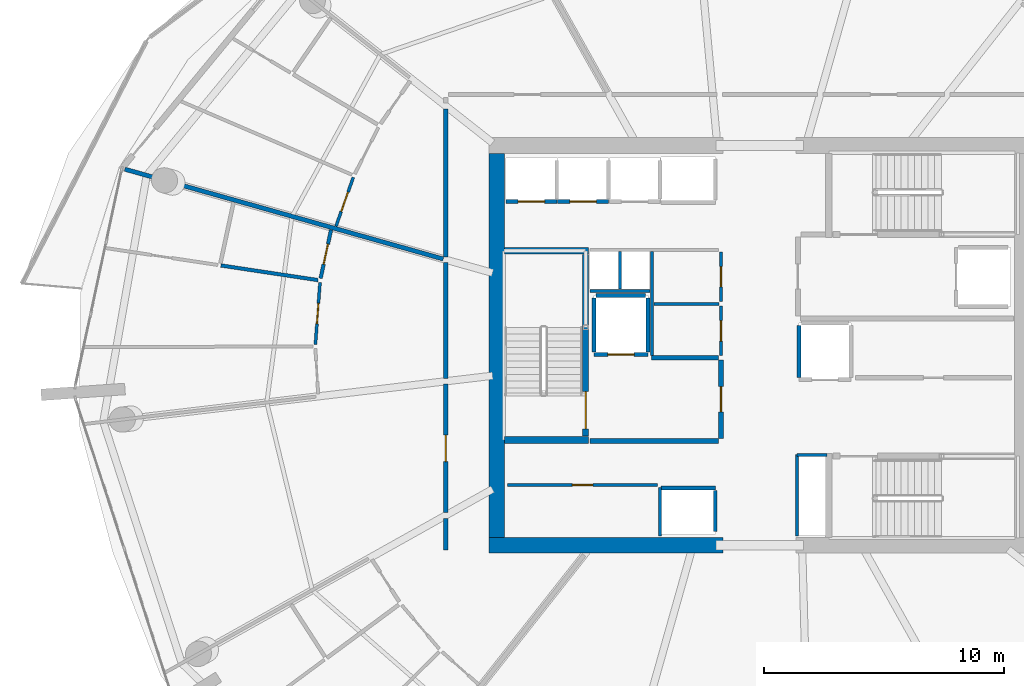
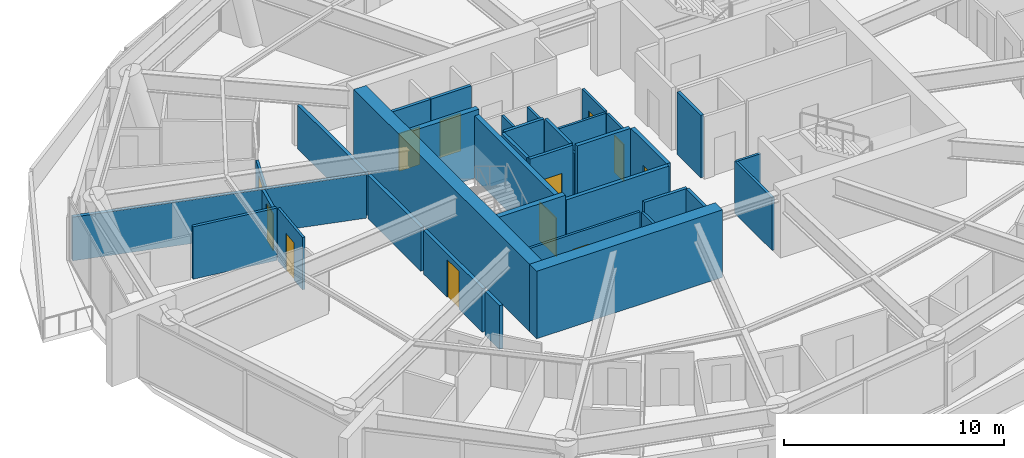
# One storey, part 11 of 20: 36 walls, 12 doors, 12 openings.
"""IFC4 building model written with IfcOpenShell, lengths in metres."""

from ifc_helpers import new_model, si_unit, direction, frame, frame_2d, origin, place, context, subcontext, project, spatial, rectangle, extrude, material, layer, layer_set, type_object, element, fill, save


model = new_model("IFC4")

# Units and contexts
model_context = context("Model", 3, precision=1e-05, world=origin(), true_north=direction((0.0, 1.0)))
body_context = subcontext(model_context, "Body", "Model", "MODEL_VIEW")
ifc_project = project(units=[si_unit("LENGTHUNIT", "METRE"), si_unit("AREAUNIT", "SQUARE_METRE"), si_unit("VOLUMEUNIT", "CUBIC_METRE"), si_unit("PLANEANGLEUNIT", "RADIAN"), si_unit("MASSUNIT", "GRAM", prefix="KILO")], contexts=[model_context])

# Site, building, storey
site_placement = place(None, origin())
site = spatial("IfcSite", under=ifc_project, at=site_placement, CompositionType="ELEMENT")
building_placement = place(site_placement, origin())
building = spatial("IfcBuilding", under=site, at=building_placement, Name="Kazma Halo Residences", CompositionType="ELEMENT")
storey_placement = place(building_placement, frame((0.0, 0.0, 221.550048828125)))
storey = spatial("IfcBuildingStorey", under=building, at=storey_placement, Name="L56", CompositionType="ELEMENT", Elevation=221.550048828125)

# Walls
ifc_material_1 = material(Name="Concrete C60/75", Category="concrete")
ifc_layer_1 = layer(ifc_material_1, 0.64990234375)
ifc_layer_set_1 = layer_set([ifc_layer_1], Name="Concrete C60/75")
wall_type_1 = type_object("IfcWallType", Name="WL-CORE-650", PredefinedType="SHEAR", material=ifc_layer_set_1)
wall_1_placement = place(storey_placement, frame((37.14990234375, 33.675048828125, 0.0), z_axis=(0.0, 0.0, 1.0), x_axis=(1.0, 0.0, 0.0)))
element("IfcWall", 1, at=wall_1_placement, inside=storey, type_object=wall_type_1, Name="L56 central core shear wall SW", PredefinedType="SHEAR", context=body_context, shape_type="SweptSolid", body=[
    extrude(rectangle(XDim=9.75, YDim=0.64990234375, at=frame_2d((4.875, 0.0))), origin(), (0.0, 0.0, 1.0), 3.75),
])
wall_2_placement = place(storey_placement, frame((37.47509765625, 34.0, 0.0), z_axis=(0.0, 0.0, 1.0), x_axis=(0.0, 1.0, 0.0)))
element("IfcWall", 2, at=wall_2_placement, inside=storey, type_object=wall_type_1, Name="L56 central core shear wall W", PredefinedType="SHEAR", context=body_context, shape_type="SweptSolid", body=[
    extrude(rectangle(XDim=16.0, YDim=0.64990234375, at=frame_2d((8.0, 0.0))), origin(), (0.0, 0.0, 1.0), 3.75),
])
ifc_layer_2 = layer(ifc_material_1, 0.280029296875)
ifc_layer_set_2 = layer_set([ifc_layer_2], Name="Concrete C60/75")
wall_type_2 = type_object("IfcWallType", Name="WL-CORE-ST-280", PredefinedType="SHEAR", material=ifc_layer_set_2)
for number, where, z_axis, x_axis, name in (
    (3, (37.800048828125, 38.06005859375, 0.0), (0.0, 0.0, 1.0), (1.0, 0.0, 0.0), "L56 stairwell bearing wall ST01-S"),
    (4, (37.800048828125, 45.93994140625, 0.0), (0.0, 0.0, 1.0), (1.0, 0.0, 0.0), "L56 stairwell bearing wall ST01-N"),
):
    element("IfcWall", number, at=place(storey_placement, frame(where, z_axis=z_axis, x_axis=x_axis)), inside=storey, type_object=wall_type_2, Name=name, PredefinedType="SHEAR", context=body_context, shape_type="SweptSolid", body=[
        extrude(rectangle(XDim=3.5, YDim=0.280029296875, at=frame_2d((1.75, 0.0))), origin(), (0.0, 0.0, 1.0), 3.75),
    ])
ifc_material_2 = material(Name="Acoustic Twin-Stud Gypsum")
ifc_layer_3 = layer(ifc_material_2, 0.179931640625)
ifc_layer_set_3 = layer_set([ifc_layer_3], Name="Acoustic Twin-Stud Gypsum")
wall_type_3 = type_object("IfcWallType", Name="WL-DEM-180", PredefinedType="PARTITIONING", material=ifc_layer_set_3)
wall_3_placement = place(storey_placement, frame((35.244140625, 45.59765625, 0.0), z_axis=(0.0, 0.0, 1.0), x_axis=(-0.962456561262, 0.271435752405, 0.0)))
element("IfcWall", 5, at=wall_3_placement, inside=storey, type_object=wall_type_3, Name="L56 apartment demising radial wall 06", PredefinedType="PARTITIONING", context=body_context, shape_type="SweptSolid", body=[
    extrude(rectangle(XDim=13.77685546875, YDim=0.179931640625, at=frame_2d((6.888427734375, 0.0))), origin(), (0.0, 0.0, 1.0), 2.427001953125),
])
wall_4_placement = place(storey_placement, frame((35.35009765625, 51.8525390625, 0.0), z_axis=(0.0, 0.0, 1.0), x_axis=(0.0, -1.0, 0.0)))
element("IfcWall", 6, at=wall_4_placement, inside=storey, type_object=wall_type_3, Name="L56 Apartment 1 inner wall 5", PredefinedType="PARTITIONING", context=body_context, shape_type="SweptSolid", body=[
    extrude(rectangle(XDim=6.164794921875, YDim=0.179931640625, at=frame_2d((3.08251953125, 0.0))), origin(), (0.0, 0.0, 1.0), 2.427001953125),
])

# Wall, opening, door
wall_5_placement = place(storey_placement, frame((35.35009765625, 40.3828125, 0.0), z_axis=(0.0, 0.0, 1.0), x_axis=(0.0, -1.0, 0.0)))
wall_5 = element("IfcWall", 7, at=wall_5_placement, inside=storey, type_object=wall_type_3, Name="L56 Apartment 2 entrance corridor wall", PredefinedType="PARTITIONING", context=body_context, shape_type="SweptSolid", body=[
    extrude(rectangle(XDim=5.34716796875, YDim=0.179931640625, at=frame_2d((2.673583984375, 0.0))), origin(), (0.0, 0.0, 1.0), 2.427001953125),
])
opening_1_placement = place(wall_5_placement, frame((2.12353515625, 0.0, 0.0)))
opening_1 = element("IfcOpeningElement", 8, at=opening_1_placement, cuts=wall_5, Name="Opening DA-1100", PredefinedType="OPENING", context=body_context, shape_type="SweptSolid", body=[
    extrude(rectangle(XDim=1.10009765625, YDim=2.10009765625, at=frame_2d((0.550048828125, 1.050048828125))), frame((0.0, 0.099853515625, 0.0), z_axis=(0.0, -1.0, 0.0), x_axis=(1.0, 0.0, 0.0)), (0.0, 0.0, 1.0), 0.199951171875),
])
ifc_material_3 = material(Name="Acoustic Walnut Fire Leaf")
door_type_1 = type_object("IfcDoorType", Name="DR-FD60-1100", OperationType="NOTDEFINED", PredefinedType="DOOR", material=ifc_material_3)
door_1_placement = place(opening_1_placement, origin())
door_1 = element("IfcDoor", 9, at=door_1_placement, inside=storey, type_object=door_type_1, Name="L56 Apartment 2 entrance fire door", OperationType="SINGLE_SWING_LEFT", OverallHeight=2.10009765625, OverallWidth=1.10009765625, PredefinedType="DOOR", context=body_context, shape_type="SweptSolid", body=[
    extrude(rectangle(XDim=1.10009765625, YDim=2.10009765625, at=frame_2d((0.550048828125, 1.050048828125))), frame((0.0, 0.02490234375, 0.0), z_axis=(0.0, -1.0, 0.0), x_axis=(1.0, 0.0, 0.0)), (0.0, 0.0, 1.0), 0.050048828125),
])
fill(opening_1, door_1)

# Walls
wall_6_placement = place(storey_placement, frame((35.35009765625, 45.44775390625, 0.0), z_axis=(0.0, 0.0, 1.0), x_axis=(0.0, -1.0, 0.0)))
element("IfcWall", 10, at=wall_6_placement, inside=storey, type_object=wall_type_3, Name="L56 Apartment 2 inner wall 6", PredefinedType="PARTITIONING", context=body_context, shape_type="SweptSolid", body=[
    extrude(rectangle(XDim=4.824951171875, YDim=0.179931640625, at=frame_2d((2.41259765625, 0.0))), origin(), (0.0, 0.0, 1.0), 2.427001953125),
])
wall_7_placement = place(storey_placement, frame((35.35009765625, 34.795654296875, 0.0), z_axis=(0.0, 0.0, 1.0), x_axis=(0.0, -1.0, 0.0)))
element("IfcWall", 11, at=wall_7_placement, inside=storey, type_object=wall_type_3, Name="L56 Apartment 2 inner wall 8", PredefinedType="PARTITIONING", context=body_context, shape_type="SweptSolid", body=[
    extrude(rectangle(XDim=1.32568359375, YDim=0.179931640625, at=frame_2d((0.662841796875, 0.0))), origin(), (0.0, 0.0, 1.0), 2.427001953125),
])

# Wall, opening, door
ifc_material_4 = material(Name="Fire-Rated Blockwork Masonry", Category="masonry")
ifc_layer_4 = layer(ifc_material_4, 0.199951171875)
ifc_layer_set_4 = layer_set([ifc_layer_4], Name="Fire-Rated Blockwork Masonry")
wall_type_4 = type_object("IfcWallType", Name="WL-FLB-200", PredefinedType="PARTITIONING", material=ifc_layer_set_4)
wall_8_placement = place(storey_placement, frame((39.97509765625, 47.9951171875, 0.0), z_axis=(0.0, 0.0, 1.0), x_axis=(-1.0, 0.0, 0.0)))
wall_8 = element("IfcWall", 12, at=wall_8_placement, inside=storey, type_object=wall_type_4, Name="L56 lift shaft PM-01 front wall", PredefinedType="PARTITIONING", context=body_context, shape_type="SweptSolid", body=[
    extrude(rectangle(XDim=2.110107421875, YDim=0.159912109375, at=frame_2d((1.05517578125, 0.0))), origin(), (0.0, 0.0, 1.0), 3.469970703125),
])
opening_2_placement = place(wall_8_placement, frame((0.5048828125, 0.0, 0.0)))
opening_2 = element("IfcOpeningElement", 13, at=opening_2_placement, cuts=wall_8, Name="Opening LD-PM-01", PredefinedType="OPENING", context=body_context, shape_type="SweptSolid", body=[
    extrude(rectangle(XDim=1.10009765625, YDim=2.10009765625, at=frame_2d((0.550048828125, 1.050048828125))), frame((0.0, 0.08984375, 0.0), z_axis=(0.0, -1.0, 0.0), x_axis=(1.0, 0.0, 0.0)), (0.0, 0.0, 1.0), 0.179931640625),
])
ifc_material_5 = material(Name="Stainless Steel Fire-Rated", Category="steel")
door_type_2 = type_object("IfcDoorType", Name="DR-LIFT-SLD-1100", OperationType="DOUBLE_DOOR_SLIDING", PredefinedType="DOOR", material=ifc_material_5)
door_2_placement = place(opening_2_placement, origin())
door_2 = element("IfcDoor", 14, at=door_2_placement, inside=storey, type_object=door_type_2, Name="L56 lift PM-01 sliding landing door", OperationType="DOUBLE_DOOR_SLIDING", OverallHeight=2.10009765625, OverallWidth=1.10009765625, PredefinedType="DOOR", context=body_context, shape_type="SweptSolid", body=[
    extrude(rectangle(XDim=1.10009765625, YDim=2.10009765625, at=frame_2d((0.550048828125, 1.050048828125))), frame((0.0, 0.02490234375, 0.0), z_axis=(0.0, -1.0, 0.0), x_axis=(1.0, 0.0, 0.0)), (0.0, 0.0, 1.0), 0.050048828125),
])
fill(opening_2, door_2)

wall_9_placement = place(storey_placement, frame((42.125, 47.9951171875, 0.0), z_axis=(0.0, 0.0, 1.0), x_axis=(-1.0, 0.0, 0.0)))
wall_9 = element("IfcWall", 15, at=wall_9_placement, inside=storey, type_object=wall_type_4, Name="L56 lift shaft PM-02 front wall", PredefinedType="PARTITIONING", context=body_context, shape_type="SweptSolid", body=[
    extrude(rectangle(XDim=2.110107421875, YDim=0.159912109375, at=frame_2d((1.05517578125, 0.0))), origin(), (0.0, 0.0, 1.0), 3.469970703125),
])
opening_3_placement = place(wall_9_placement, frame((0.5048828125, 0.0, 0.0)))
opening_3 = element("IfcOpeningElement", 16, at=opening_3_placement, cuts=wall_9, Name="Opening LD-PM-02", PredefinedType="OPENING", context=body_context, shape_type="SweptSolid", body=[
    extrude(rectangle(XDim=1.10009765625, YDim=2.10009765625, at=frame_2d((0.550048828125, 1.050048828125))), frame((0.0, 0.08984375, 0.0), z_axis=(0.0, -1.0, 0.0), x_axis=(1.0, 0.0, 0.0)), (0.0, 0.0, 1.0), 0.179931640625),
])
door_3_placement = place(opening_3_placement, origin())
door_3 = element("IfcDoor", 17, at=door_3_placement, inside=storey, type_object=door_type_2, Name="L56 lift PM-02 sliding landing door", OperationType="DOUBLE_DOOR_SLIDING", OverallHeight=2.10009765625, OverallWidth=1.10009765625, PredefinedType="DOOR", context=body_context, shape_type="SweptSolid", body=[
    extrude(rectangle(XDim=1.10009765625, YDim=2.10009765625, at=frame_2d((0.550048828125, 1.050048828125))), frame((0.0, 0.02490234375, 0.0), z_axis=(0.0, -1.0, 0.0), x_axis=(1.0, 0.0, 0.0)), (0.0, 0.0, 1.0), 0.050048828125),
])
fill(opening_3, door_3)

# Walls
wall_10_placement = place(storey_placement, frame((44.320068359375, 36.054931640625, 0.0), z_axis=(0.0, 0.0, 1.0), x_axis=(1.0, 0.0, 0.0)))
element("IfcWall", 18, at=wall_10_placement, inside=storey, type_object=wall_type_4, Name="L56 lift shaft PX-02 front wall", PredefinedType="PARTITIONING", context=body_context, shape_type="SweptSolid", body=[
    extrude(rectangle(XDim=2.260009765625, YDim=0.159912109375, at=frame_2d((1.1298828125, 0.0))), origin(), (0.0, 0.0, 1.0), 3.469970703125),
])
wall_11_placement = place(storey_placement, frame((46.580078125, 34.2451171875, 0.0), z_axis=(0.0, 0.0, 1.0), x_axis=(0.0, 1.0, 0.0)))
element("IfcWall", 19, at=wall_11_placement, inside=storey, type_object=wall_type_4, Name="L56 lift shaft PX-02 side wall E", PredefinedType="PARTITIONING", context=body_context, shape_type="SweptSolid", body=[
    extrude(rectangle(XDim=1.7099609375, YDim=0.159912109375, at=frame_2d((0.85498046875, 0.0))), origin(), (0.0, 0.0, 1.0), 3.469970703125),
])

# Wall, opening, door
wall_12_placement = place(storey_placement, frame((43.780029296875, 41.6201171875, 0.0), z_axis=(0.0, 0.0, 1.0), x_axis=(-1.0, 0.0, 0.0)))
wall_12 = element("IfcWall", 20, at=wall_12_placement, inside=storey, type_object=wall_type_4, Name="L56 lift shaft FL-01 front wall", PredefinedType="PARTITIONING", context=body_context, shape_type="SweptSolid", body=[
    extrude(rectangle(XDim=2.260009765625, YDim=0.159912109375, at=frame_2d((1.1298828125, 0.0))), origin(), (0.0, 0.0, 1.0), 3.469970703125),
])
opening_4_placement = place(wall_12_placement, frame((0.580078125, 0.0, 0.0)))
opening_4 = element("IfcOpeningElement", 21, at=opening_4_placement, cuts=wall_12, Name="Opening LD-FL-01", PredefinedType="OPENING", context=body_context, shape_type="SweptSolid", body=[
    extrude(rectangle(XDim=1.10009765625, YDim=2.10009765625, at=frame_2d((0.550048828125, 1.050048828125))), frame((0.0, 0.08984375, 0.0), z_axis=(0.0, -1.0, 0.0), x_axis=(1.0, 0.0, 0.0)), (0.0, 0.0, 1.0), 0.179931640625),
])
door_4_placement = place(opening_4_placement, origin())
door_4 = element("IfcDoor", 22, at=door_4_placement, inside=storey, type_object=door_type_2, Name="L56 lift FL-01 sliding landing door", OperationType="DOUBLE_DOOR_SLIDING", OverallHeight=2.10009765625, OverallWidth=1.10009765625, PredefinedType="DOOR", context=body_context, shape_type="SweptSolid", body=[
    extrude(rectangle(XDim=1.10009765625, YDim=2.10009765625, at=frame_2d((0.550048828125, 1.050048828125))), frame((0.0, 0.02490234375, 0.0), z_axis=(0.0, -1.0, 0.0), x_axis=(1.0, 0.0, 0.0)), (0.0, 0.0, 1.0), 0.050048828125),
])
fill(opening_4, door_4)

# Walls
for number, where, z_axis, x_axis, name in (
    (23, (43.780029296875, 41.719970703125, 0.0), (0.0, 0.0, 1.0), (0.0, 1.0, 0.0), "L56 lift shaft FL-01 side wall E"),
    (24, (41.52001953125, 41.719970703125, 0.0), (0.0, 0.0, 1.0), (0.0, 1.0, 0.0), "L56 lift shaft FL-01 side wall W"),
):
    element("IfcWall", number, at=place(storey_placement, frame(where, z_axis=z_axis, x_axis=x_axis)), inside=storey, type_object=wall_type_4, Name=name, PredefinedType="PARTITIONING", context=body_context, shape_type="SweptSolid", body=[
        extrude(rectangle(XDim=2.260009765625, YDim=0.159912109375, at=frame_2d((1.1298828125, 0.0))), origin(), (0.0, 0.0, 1.0), 3.469970703125),
    ])
wall_13_placement = place(storey_placement, frame((41.6201171875, 44.080078125, 0.0), z_axis=(0.0, 0.0, 1.0), x_axis=(1.0, 0.0, 0.0)))
element("IfcWall", 25, at=wall_13_placement, inside=storey, type_object=wall_type_4, Name="L56 lift shaft FL-01 side wall N", PredefinedType="PARTITIONING", context=body_context, shape_type="SweptSolid", body=[
    extrude(rectangle(XDim=2.059814453125, YDim=0.159912109375, at=frame_2d((1.02978515625, 0.0))), origin(), (0.0, 0.0, 1.0), 3.469970703125),
])
wall_14_placement = place(storey_placement, frame((50.070068359375, 40.669921875, 0.0), z_axis=(0.0, 0.0, 1.0), x_axis=(0.0, 1.0, 0.0)))
element("IfcWall", 26, at=wall_14_placement, inside=storey, type_object=wall_type_4, Name="L56 lift shaft SV-01 side wall W", PredefinedType="PARTITIONING", context=body_context, shape_type="SweptSolid", body=[
    extrude(rectangle(XDim=2.16015625, YDim=0.159912109375, at=frame_2d((1.080078125, 0.0))), origin(), (0.0, 0.0, 1.0), 3.469970703125),
])
wall_15_placement = place(storey_placement, frame((41.35009765625, 38.02001953125, 0.0), z_axis=(0.0, 0.0, 1.0), x_axis=(1.0, 0.0, 0.0)))
element("IfcWall", 27, at=wall_15_placement, inside=storey, type_object=wall_type_4, Name="L56 west firefighting lobby south smoke wall", PredefinedType="PARTITIONING", context=body_context, shape_type="SweptSolid", body=[
    extrude(rectangle(XDim=5.369873046875, YDim=0.199951171875, at=frame_2d((2.68505859375, 0.0))), origin(), (0.0, 0.0, 1.0), 3.469970703125),
])
wall_16_placement = place(storey_placement, frame((43.919921875, 41.47998046875, 0.0), z_axis=(0.0, 0.0, 1.0), x_axis=(1.0, 0.0, 0.0)))
element("IfcWall", 28, at=wall_16_placement, inside=storey, type_object=wall_type_4, Name="L56 west firefighting lobby north smoke wall", PredefinedType="PARTITIONING", context=body_context, shape_type="SweptSolid", body=[
    extrude(rectangle(XDim=2.800048828125, YDim=0.199951171875, at=frame_2d((1.39990234375, 0.0))), origin(), (0.0, 0.0, 1.0), 3.469970703125),
])

# Wall, opening, door
wall_17_placement = place(storey_placement, frame((46.820068359375, 38.1201171875, 0.0), z_axis=(0.0, 0.0, 1.0), x_axis=(0.0, 1.0, 0.0)))
wall_17 = element("IfcWall", 29, at=wall_17_placement, inside=storey, type_object=wall_type_4, Name="L56 west firefighting lobby smoke wall", PredefinedType="PARTITIONING", context=body_context, shape_type="SweptSolid", body=[
    extrude(rectangle(XDim=3.259765625, YDim=0.199951171875, at=frame_2d((1.6298828125, 0.0))), origin(), (0.0, 0.0, 1.0), 3.469970703125),
])
opening_5_placement = place(wall_17_placement, frame((1.10498046875, 0.0, 0.0)))
opening_5 = element("IfcOpeningElement", 30, at=opening_5_placement, cuts=wall_17, Name="Opening D-FLW", PredefinedType="OPENING", context=body_context, shape_type="SweptSolid", body=[
    extrude(rectangle(XDim=1.050048828125, YDim=2.10009765625, at=frame_2d((0.52490234375, 1.050048828125))), frame((0.0, 0.10986328125, 0.0), z_axis=(0.0, -1.0, 0.0), x_axis=(1.0, 0.0, 0.0)), (0.0, 0.0, 1.0), 0.219970703125),
])
ifc_material_6 = material(Name="Fire-Rated Steel Leaf", Category="steel")
door_type_3 = type_object("IfcDoorType", Name="DR-FD90-1050", OperationType="NOTDEFINED", PredefinedType="DOOR", material=ifc_material_6)
door_5_placement = place(opening_5_placement, origin())
door_5 = element("IfcDoor", 31, at=door_5_placement, inside=storey, type_object=door_type_3, Name="L56 west firefighting lobby smoke door", OperationType="SINGLE_SWING_LEFT", OverallHeight=2.10009765625, OverallWidth=1.050048828125, PredefinedType="DOOR", context=body_context, shape_type="SweptSolid", body=[
    extrude(rectangle(XDim=1.050048828125, YDim=2.10009765625, at=frame_2d((0.52490234375, 1.050048828125))), frame((0.0, 0.02490234375, 0.0), z_axis=(0.0, -1.0, 0.0), x_axis=(1.0, 0.0, 0.0)), (0.0, 0.0, 1.0), 0.050048828125),
])
fill(opening_5, door_5)

# Wall
ifc_material_7 = material(Name="Gypsum Plasterboard Partition")
ifc_layer_5 = layer(ifc_material_7, 0.125)
ifc_layer_set_5 = layer_set([ifc_layer_5], Name="Gypsum Plasterboard Partition")
wall_type_5 = type_object("IfcWallType", Name="WL-PART-125", PredefinedType="PARTITIONING", material=ifc_layer_set_5)
wall_18_placement = place(storey_placement, frame((44.280029296875, 34.050048828125, 0.0), z_axis=(0.0, 0.0, 1.0), x_axis=(0.0, 1.0, 0.0)))
element("IfcWall", 32, at=wall_18_placement, inside=storey, type_object=wall_type_5, Name="L56 reclaimed south east wall", PredefinedType="PARTITIONING", context=body_context, shape_type="SweptSolid", body=[
    extrude(rectangle(XDim=2.030029296875, YDim=0.125, at=frame_2d((1.01513671875, 0.0))), origin(), (0.0, 0.0, 1.0), 2.909912109375),
])

# Wall, opening, door
wall_19_placement = place(storey_placement, frame((37.919921875, 36.179931640625, 0.0), z_axis=(0.0, 0.0, 1.0), x_axis=(1.0, 0.0, 0.0)))
wall_19 = element("IfcWall", 33, at=wall_19_placement, inside=storey, type_object=wall_type_5, Name="L56 reclaimed south front wall", PredefinedType="PARTITIONING", context=body_context, shape_type="SweptSolid", body=[
    extrude(rectangle(XDim=6.260009765625, YDim=0.125, at=frame_2d((3.1298828125, 0.0))), origin(), (0.0, 0.0, 1.0), 2.909912109375),
])
opening_6_placement = place(wall_19_placement, frame((2.705078125, 0.0, 0.0)))
opening_6 = element("IfcOpeningElement", 34, at=opening_6_placement, cuts=wall_19, Name="Opening DS-850", PredefinedType="OPENING", context=body_context, shape_type="SweptSolid", body=[
    extrude(rectangle(XDim=0.85009765625, YDim=2.06005859375, at=frame_2d((0.425048828125, 1.030029296875))), frame((0.0, 0.072509765625, 0.0), z_axis=(0.0, -1.0, 0.0), x_axis=(1.0, 0.0, 0.0)), (0.0, 0.0, 1.0), 0.14501953125),
])
ifc_material_8 = material(Name="Painted Steel Access Leaf", Category="steel")
door_type_4 = type_object("IfcDoorType", Name="DR-SVC-850", OperationType="NOTDEFINED", PredefinedType="DOOR", material=ifc_material_8)
door_6_placement = place(opening_6_placement, origin())
door_6 = element("IfcDoor", 35, at=door_6_placement, inside=storey, type_object=door_type_4, Name="L56 reclaimed south service door", OperationType="SINGLE_SWING_LEFT", OverallHeight=2.06005859375, OverallWidth=0.85009765625, PredefinedType="DOOR", context=body_context, shape_type="SweptSolid", body=[
    extrude(rectangle(XDim=0.85009765625, YDim=2.06005859375, at=frame_2d((0.425048828125, 1.030029296875))), frame((0.0, 0.02490234375, 0.0), z_axis=(0.0, -1.0, 0.0), x_axis=(1.0, 0.0, 0.0)), (0.0, 0.0, 1.0), 0.050048828125),
])
fill(opening_6, door_6)

# Walls
wall_20_placement = place(storey_placement, frame((41.360107421875, 44.260009765625, 0.0), z_axis=(0.0, 0.0, 1.0), x_axis=(1.0, 0.0, 0.0)))
element("IfcWall", 36, at=wall_20_placement, inside=storey, type_object=wall_type_5, Name="L56 core riser south wall", PredefinedType="PARTITIONING", context=body_context, shape_type="SweptSolid", body=[
    extrude(rectangle(XDim=2.5, YDim=0.125, at=frame_2d((1.25, 0.0))), origin(), (0.0, 0.0, 1.0), 2.909912109375),
])
wall_21_placement = place(storey_placement, frame((42.60009765625, 44.35009765625, 0.0), z_axis=(0.0, 0.0, 1.0), x_axis=(0.0, 1.0, 0.0)))
element("IfcWall", 37, at=wall_21_placement, inside=storey, type_object=wall_type_5, Name="L56 core riser divider wall", PredefinedType="PARTITIONING", context=body_context, shape_type="SweptSolid", body=[
    extrude(rectangle(XDim=1.5498046875, YDim=0.125, at=frame_2d((0.77490234375, 0.0))), origin(), (0.0, 0.0, 1.0), 2.909912109375),
])
wall_22_placement = place(storey_placement, frame((49.97998046875, 34.06005859375, 0.0), z_axis=(0.0, 0.0, 1.0), x_axis=(0.0, 1.0, 0.0)))
element("IfcWall", 38, at=wall_22_placement, inside=storey, type_object=wall_type_5, Name="L56 standpipe riser wall", PredefinedType="PARTITIONING", context=body_context, shape_type="SweptSolid", body=[
    extrude(rectangle(XDim=3.39990234375, YDim=0.125, at=frame_2d((1.699951171875, 0.0))), origin(), (0.0, 0.0, 1.0), 2.909912109375),
])
wall_23_placement = place(storey_placement, frame((49.97998046875, 37.43994140625, 0.0), z_axis=(0.0, 0.0, 1.0), x_axis=(1.0, 0.0, 0.0)))
element("IfcWall", 39, at=wall_23_placement, inside=storey, type_object=wall_type_5, Name="L56 standpipe riser north wall", PredefinedType="PARTITIONING", context=body_context, shape_type="SweptSolid", body=[
    extrude(rectangle(XDim=1.260009765625, YDim=0.125, at=frame_2d((0.6298828125, 0.0))), origin(), (0.0, 0.0, 1.0), 2.909912109375),
])
wall_24_placement = place(storey_placement, frame((43.949951171875, 41.580078125, 0.0), z_axis=(0.0, 0.0, 1.0), x_axis=(0.0, 1.0, 0.0)))
element("IfcWall", 40, at=wall_24_placement, inside=storey, type_object=wall_type_5, Name="L56 core service west wall", PredefinedType="PARTITIONING", context=body_context, shape_type="SweptSolid", body=[
    extrude(rectangle(XDim=4.31982421875, YDim=0.125, at=frame_2d((2.159912109375, 0.0))), origin(), (0.0, 0.0, 1.0), 2.909912109375),
])
wall_25_placement = place(storey_placement, frame((44.030029296875, 43.72998046875, 0.0), z_axis=(0.0, 0.0, 1.0), x_axis=(1.0, 0.0, 0.0)))
element("IfcWall", 41, at=wall_25_placement, inside=storey, type_object=wall_type_5, Name="L56 switch/IDF divider", PredefinedType="PARTITIONING", context=body_context, shape_type="SweptSolid", body=[
    extrude(rectangle(XDim=2.7099609375, YDim=0.125, at=frame_2d((1.35498046875, 0.0))), origin(), (0.0, 0.0, 1.0), 2.909912109375),
])

# Wall, opening, door
wall_26_placement = place(storey_placement, frame((46.820068359375, 41.580078125, 0.0), z_axis=(0.0, 0.0, 1.0), x_axis=(0.0, 1.0, 0.0)))
wall_26 = element("IfcWall", 42, at=wall_26_placement, inside=storey, type_object=wall_type_5, Name="L56 electrical switch room east wall", PredefinedType="PARTITIONING", context=body_context, shape_type="SweptSolid", body=[
    extrude(rectangle(XDim=2.0498046875, YDim=0.125, at=frame_2d((1.02490234375, 0.0))), origin(), (0.0, 0.0, 1.0), 2.909912109375),
])
opening_7_placement = place(wall_26_placement, frame((0.60009765625, 0.0, 0.0)))
opening_7 = element("IfcOpeningElement", 43, at=opening_7_placement, cuts=wall_26, Name="Opening DS-850", PredefinedType="OPENING", context=body_context, shape_type="SweptSolid", body=[
    extrude(rectangle(XDim=0.85009765625, YDim=2.06005859375, at=frame_2d((0.425048828125, 1.030029296875))), frame((0.0, 0.072509765625, 0.0), z_axis=(0.0, -1.0, 0.0), x_axis=(1.0, 0.0, 0.0)), (0.0, 0.0, 1.0), 0.14501953125),
])
door_7_placement = place(opening_7_placement, origin())
door_7 = element("IfcDoor", 44, at=door_7_placement, inside=storey, type_object=door_type_4, Name="L56 electrical switch room door", OperationType="SINGLE_SWING_LEFT", OverallHeight=2.06005859375, OverallWidth=0.85009765625, PredefinedType="DOOR", context=body_context, shape_type="SweptSolid", body=[
    extrude(rectangle(XDim=0.85009765625, YDim=2.06005859375, at=frame_2d((0.425048828125, 1.030029296875))), frame((0.0, 0.02490234375, 0.0), z_axis=(0.0, -1.0, 0.0), x_axis=(1.0, 0.0, 0.0)), (0.0, 0.0, 1.0), 0.050048828125),
])
fill(opening_7, door_7)

wall_27_placement = place(storey_placement, frame((46.820068359375, 43.830078125, 0.0), z_axis=(0.0, 0.0, 1.0), x_axis=(0.0, 1.0, 0.0)))
wall_27 = element("IfcWall", 45, at=wall_27_placement, inside=storey, type_object=wall_type_5, Name="L56 telecom IDF room east wall", PredefinedType="PARTITIONING", context=body_context, shape_type="SweptSolid", body=[
    extrude(rectangle(XDim=2.0498046875, YDim=0.125, at=frame_2d((1.02490234375, 0.0))), origin(), (0.0, 0.0, 1.0), 2.909912109375),
])
opening_8_placement = place(wall_27_placement, frame((0.60009765625, 0.0, 0.0)))
opening_8 = element("IfcOpeningElement", 46, at=opening_8_placement, cuts=wall_27, Name="Opening DS-850", PredefinedType="OPENING", context=body_context, shape_type="SweptSolid", body=[
    extrude(rectangle(XDim=0.85009765625, YDim=2.06005859375, at=frame_2d((0.425048828125, 1.030029296875))), frame((0.0, 0.072509765625, 0.0), z_axis=(0.0, -1.0, 0.0), x_axis=(1.0, 0.0, 0.0)), (0.0, 0.0, 1.0), 0.14501953125),
])
door_8_placement = place(opening_8_placement, origin())
door_8 = element("IfcDoor", 47, at=door_8_placement, inside=storey, type_object=door_type_4, Name="L56 telecom IDF room door", OperationType="SINGLE_SWING_RIGHT", OverallHeight=2.06005859375, OverallWidth=0.85009765625, PredefinedType="DOOR", context=body_context, shape_type="SweptSolid", body=[
    extrude(rectangle(XDim=0.85009765625, YDim=2.06005859375, at=frame_2d((0.425048828125, 1.030029296875))), frame((0.0, 0.02490234375, 0.0), z_axis=(0.0, -1.0, 0.0), x_axis=(1.0, 0.0, 0.0)), (0.0, 0.0, 1.0), 0.050048828125),
])
fill(opening_8, door_8)

wall_28_placement = place(storey_placement, frame((31.498779296875, 48.99609375, 0.0), z_axis=(0.0, 0.0, 1.0), x_axis=(-0.333577104371, -0.942722820048, 0.0)))
wall_28 = element("IfcWall", 48, at=wall_28_placement, inside=storey, type_object=wall_type_5, Name="L56 Apartment 1 Primary Bedroom hall wall", PredefinedType="PARTITIONING", context=body_context, shape_type="SweptSolid", body=[
    extrude(rectangle(XDim=2.1591796875, YDim=0.125, at=frame_2d((1.07958984375, 0.0))), origin(), (0.0, 0.0, 1.0), 2.427001953125),
])
opening_9_placement = place(wall_28_placement, frame((0.654541015625, 0.0, 0.0)))
opening_9 = element("IfcOpeningElement", 49, at=opening_9_placement, cuts=wall_28, Name="Opening DB-900", PredefinedType="OPENING", context=body_context, shape_type="SweptSolid", body=[
    extrude(rectangle(XDim=0.85009765625, YDim=2.06005859375, at=frame_2d((0.425048828125, 1.030029296875))), frame((0.0, 0.072509765625, 0.0), z_axis=(0.0, -1.0, 0.0), x_axis=(1.0, 0.0, 0.0)), (0.0, 0.0, 1.0), 0.14501953125),
])
ifc_material_9 = material(Name="Moisture-Sealed Timber Leaf", Category="wood")
door_type_5 = type_object("IfcDoorType", Name="DR-BTH-900", OperationType="NOTDEFINED", PredefinedType="DOOR", material=ifc_material_9)
door_9_placement = place(opening_9_placement, origin())
door_9 = element("IfcDoor", 50, at=door_9_placement, inside=storey, type_object=door_type_5, Name="L56 Apartment 1 Primary Bedroom door", OperationType="SINGLE_SWING_LEFT", OverallHeight=2.06005859375, OverallWidth=0.85009765625, PredefinedType="DOOR", context=body_context, shape_type="SweptSolid", body=[
    extrude(rectangle(XDim=0.85009765625, YDim=2.06005859375, at=frame_2d((0.425048828125, 1.030029296875))), frame((0.0, 0.02490234375, 0.0), z_axis=(0.0, -1.0, 0.0), x_axis=(1.0, 0.0, 0.0)), (0.0, 0.0, 1.0), 0.050048828125),
])
fill(opening_9, door_9)

wall_29_placement = place(storey_placement, frame((30.111572265625, 44.613037109375, 0.0), z_axis=(0.0, 0.0, 1.0), x_axis=(-0.073673624572, -0.997282405862, 0.0)))
wall_29 = element("IfcWall", 51, at=wall_29_placement, inside=storey, type_object=wall_type_5, Name="L56 Apartment 2 Gourmet Kitchen hall wall", PredefinedType="PARTITIONING", context=body_context, shape_type="SweptSolid", body=[
    extrude(rectangle(XDim=2.588134765625, YDim=0.125, at=frame_2d((1.2939453125, 0.0))), origin(), (0.0, 0.0, 1.0), 2.909912109375),
])
opening_10_placement = place(wall_29_placement, frame((0.869140625, 0.0, 0.0)))
opening_10 = element("IfcOpeningElement", 52, at=opening_10_placement, cuts=wall_29, Name="Opening DB-900", PredefinedType="OPENING", context=body_context, shape_type="SweptSolid", body=[
    extrude(rectangle(XDim=0.85009765625, YDim=2.06005859375, at=frame_2d((0.425048828125, 1.030029296875))), frame((0.0, 0.072509765625, 0.0), z_axis=(0.0, -1.0, 0.0), x_axis=(1.0, 0.0, 0.0)), (0.0, 0.0, 1.0), 0.14501953125),
])
door_10_placement = place(opening_10_placement, origin())
door_10 = element("IfcDoor", 53, at=door_10_placement, inside=storey, type_object=door_type_5, Name="L56 Apartment 2 Gourmet Kitchen door", OperationType="SINGLE_SWING_LEFT", OverallHeight=2.06005859375, OverallWidth=0.85009765625, PredefinedType="DOOR", context=body_context, shape_type="SweptSolid", body=[
    extrude(rectangle(XDim=0.85009765625, YDim=2.06005859375, at=frame_2d((0.425048828125, 1.030029296875))), frame((0.0, 0.02490234375, 0.0), z_axis=(0.0, -1.0, 0.0), x_axis=(1.0, 0.0, 0.0)), (0.0, 0.0, 1.0), 0.050048828125),
])
fill(opening_10, door_10)

ifc_material_10 = material(Name="Concrete C50/60", Category="concrete")
ifc_layer_6 = layer(ifc_material_10, 0.25)
ifc_layer_set_6 = layer_set([ifc_layer_6], Name="Concrete C50/60")
wall_type_6 = type_object("IfcWallType", Name="WL-SHF-250", PredefinedType="SOLIDWALL", material=ifc_layer_set_6)
wall_30_placement = place(storey_placement, frame((41.179931640625, 38.219970703125, 0.0), z_axis=(0.0, 0.0, 1.0), x_axis=(0.0, 1.0, 0.0)))
wall_30 = element("IfcWall", 54, at=wall_30_placement, inside=storey, type_object=wall_type_6, Name="L56 exit stair ST-01 enclosure wall", PredefinedType="SOLIDWALL", context=body_context, shape_type="SweptSolid", body=[
    extrude(rectangle(XDim=7.56005859375, YDim=0.25, at=frame_2d((3.780029296875, 0.0))), origin(), (0.0, 0.0, 1.0), 3.469970703125),
])
opening_11_placement = place(wall_30_placement, frame((0.300048828125, 0.0, 0.0)))
opening_11 = element("IfcOpeningElement", 55, at=opening_11_placement, cuts=wall_30, Name="Opening D-ST1", PredefinedType="OPENING", context=body_context, shape_type="SweptSolid", body=[
    extrude(rectangle(XDim=1.550048828125, YDim=2.14990234375, at=frame_2d((0.77490234375, 1.074951171875))), frame((0.0, 0.135009765625, 0.0), z_axis=(0.0, -1.0, 0.0), x_axis=(1.0, 0.0, 0.0)), (0.0, 0.0, 1.0), 0.27001953125),
])
ifc_material_11 = material(Name="Fire-Rated Double Steel Leaf", Category="steel")
door_type_6 = type_object("IfcDoorType", Name="DR-FD90-1550", OperationType="NOTDEFINED", PredefinedType="DOOR", material=ifc_material_11)
door_11_placement = place(opening_11_placement, origin())
door_11 = element("IfcDoor", 56, at=door_11_placement, inside=storey, type_object=door_type_6, Name="L56 exit stair ST-01 fire door", OperationType="DOUBLE_DOOR_SINGLE_SWING", OverallHeight=2.14990234375, OverallWidth=1.550048828125, PredefinedType="DOOR", context=body_context, shape_type="SweptSolid", body=[
    extrude(rectangle(XDim=1.550048828125, YDim=2.14990234375, at=frame_2d((0.77490234375, 1.074951171875))), frame((0.0, 0.02490234375, 0.0), z_axis=(0.0, -1.0, 0.0), x_axis=(1.0, 0.0, 0.0)), (0.0, 0.0, 1.0), 0.050048828125),
])
fill(opening_11, door_11)

ifc_material_12 = material(Name="Moisture-Resistant Gypsum")
ifc_layer_7 = layer(ifc_material_12, 0.14990234375)
ifc_layer_set_7 = layer_set([ifc_layer_7], Name="Moisture-Resistant Gypsum")
wall_type_7 = type_object("IfcWallType", Name="WL-WET-150", PredefinedType="PARTITIONING", material=ifc_layer_set_7)
wall_31_placement = place(storey_placement, frame((30.572998046875, 46.811279296875, 0.0), z_axis=(0.0, 0.0, 1.0), x_axis=(-0.210835659219, -0.977521521401, 0.0)))
wall_31 = element("IfcWall", 57, at=wall_31_placement, inside=storey, type_object=wall_type_7, Name="L56 Apartment 2 Guest Bathroom hall wall", PredefinedType="PARTITIONING", context=body_context, shape_type="SweptSolid", body=[
    extrude(rectangle(XDim=2.06689453125, YDim=0.14990234375, at=frame_2d((1.033447265625, 0.0))), origin(), (0.0, 0.0, 1.0), 2.427001953125),
])
opening_12_placement = place(wall_31_placement, frame((0.6083984375, 0.0, 0.0)))
opening_12 = element("IfcOpeningElement", 58, at=opening_12_placement, cuts=wall_31, Name="Opening DB-900", PredefinedType="OPENING", context=body_context, shape_type="SweptSolid", body=[
    extrude(rectangle(XDim=0.85009765625, YDim=2.06005859375, at=frame_2d((0.425048828125, 1.030029296875))), frame((0.0, 0.0849609375, 0.0), z_axis=(0.0, -1.0, 0.0), x_axis=(1.0, 0.0, 0.0)), (0.0, 0.0, 1.0), 0.169921875),
])
door_12_placement = place(opening_12_placement, origin())
door_12 = element("IfcDoor", 59, at=door_12_placement, inside=storey, type_object=door_type_5, Name="L56 Apartment 2 Guest Bathroom door", OperationType="SINGLE_SWING_LEFT", OverallHeight=2.06005859375, OverallWidth=0.85009765625, PredefinedType="DOOR", context=body_context, shape_type="SweptSolid", body=[
    extrude(rectangle(XDim=0.85009765625, YDim=2.06005859375, at=frame_2d((0.425048828125, 1.030029296875))), frame((0.0, 0.02490234375, 0.0), z_axis=(0.0, -1.0, 0.0), x_axis=(1.0, 0.0, 0.0)), (0.0, 0.0, 1.0), 0.050048828125),
])
fill(opening_12, door_12)

# Wall
wall_32_placement = place(storey_placement, frame((30.029052734375, 44.71630859375, 0.0), z_axis=(0.0, 0.0, 1.0), x_axis=(-0.988774638917, 0.149414569018, 0.0)))
element("IfcWall", 60, at=wall_32_placement, inside=storey, type_object=wall_type_7, Name="L56 Apartment 2 Guest Bathroom side wall", PredefinedType="PARTITIONING", context=body_context, shape_type="SweptSolid", body=[
    extrude(rectangle(XDim=4.08984375, YDim=0.14990234375, at=frame_2d((2.044921875, 0.0))), origin(), (0.0, 0.0, 1.0), 2.909912109375),
])

save(model, "model.ifc")
